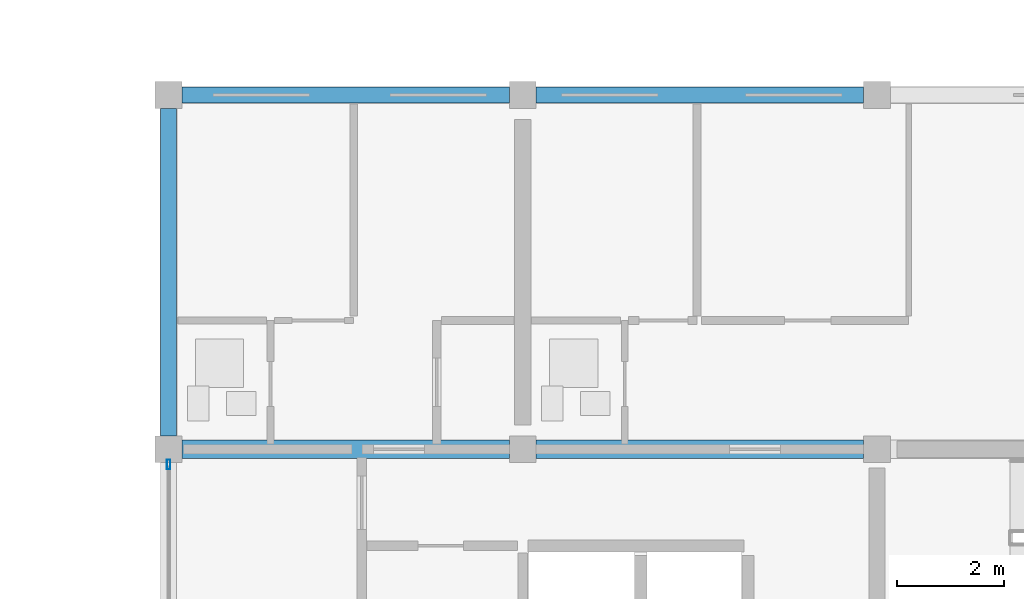
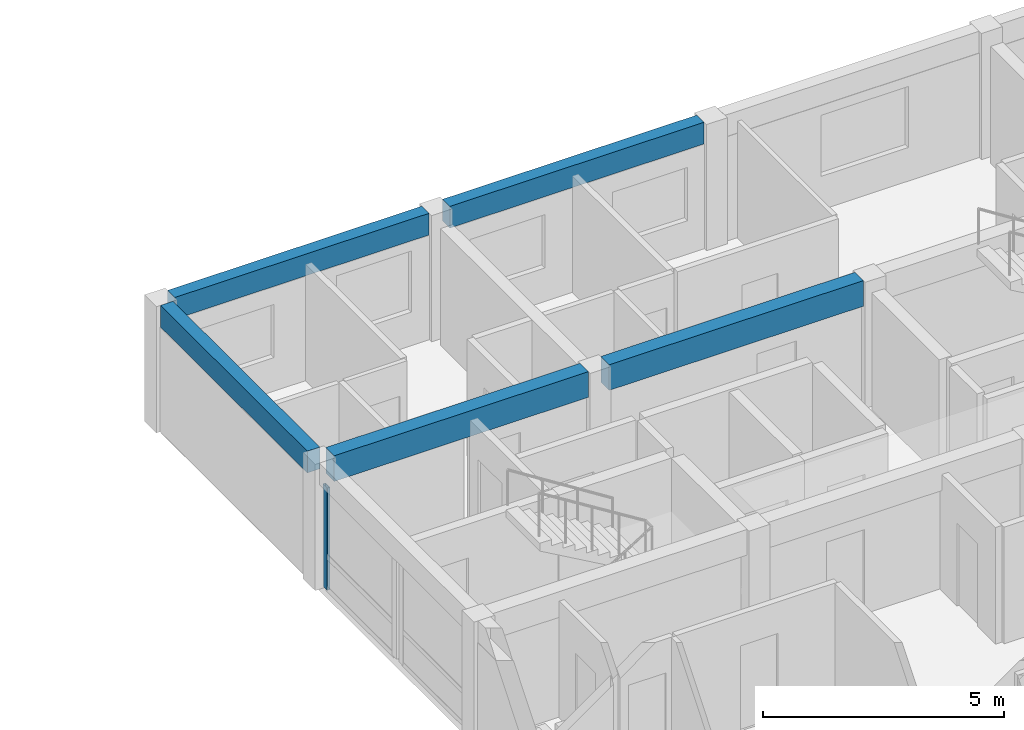
# One storey, part 21 of 53: 5 beams, 1 member, 1 element without a shape of its own.
"""IFC4 building model written with IfcOpenShell, lengths in metres."""

from ifc_helpers import new_model, si_unit, direction, frame, origin, origin_2d, place, context, subcontext, project, spatial, rectangle, hollow_rectangle, extrude, material, material_profile, profile_set, type_object, element, aggregate, save


model = new_model("IFC4")

# Units and contexts
model_context = context("Model", 3, precision=1e-05, world=origin(), true_north=direction((0.0, 1.0)))
body_context = subcontext(model_context, "Body", "Model", "MODEL_VIEW")
ifc_project = project(units=[si_unit("LENGTHUNIT", "METRE"), si_unit("AREAUNIT", "SQUARE_METRE"), si_unit("VOLUMEUNIT", "CUBIC_METRE"), si_unit("PLANEANGLEUNIT", "RADIAN"), si_unit("MASSUNIT", "GRAM", prefix="KILO")], contexts=[model_context])

# Site, building, storey
site_placement = place(None, origin())
site = spatial("IfcSite", under=ifc_project, at=site_placement, CompositionType="ELEMENT")
building_placement = place(site_placement, origin())
building = spatial("IfcBuilding", under=site, at=building_placement, Name="Kernevlak Ridge Housing Community", CompositionType="ELEMENT")
storey_placement = place(building_placement, frame((0.0, 0.0, 18.0)))
storey = spatial("IfcBuildingStorey", under=building, at=storey_placement, Name="L05", CompositionType="ELEMENT", Elevation=18.0)

# Beams
ifc_material_1 = material(Name="Concrete C35/45", Category="concrete")
ifc_material_profile_1 = material_profile(ifc_material_1, rectangle(XDim=0.35009765625, YDim=0.64990234375, at=origin_2d()), Name="RC 350x650")
ifc_profile_set_1 = profile_set([ifc_material_profile_1], Name="Concrete C35/45")
beam_type_1 = type_object("IfcBeamType", Name="B-02", PredefinedType="BEAM", material=ifc_profile_set_1)
for number, where, z_axis, x_axis, name in (
    (1, (119.64990234375, 95.800048828125, 2.875), (1.0, 0.0, 0.0), (0.0, 1.0, 0.0), "Beam B-02 L05 717"),
    (2, (126.25, 95.800048828125, 2.875), (1.0, 0.0, 0.0), (0.0, 1.0, 0.0), "Beam B-02 L05 718"),
):
    element("IfcBeam", number, at=place(storey_placement, frame(where, z_axis=z_axis, x_axis=x_axis)), inside=storey, type_object=beam_type_1, Name=name, PredefinedType="BEAM", context=body_context, shape_type="SweptSolid", body=[
        extrude(rectangle(XDim=0.35009765625, YDim=0.64990234375, at=origin_2d()), origin(), (0.0, 0.0, 1.0), 6.10009765625),
    ])

# Curtain wall, member
ifc_material_2 = material(Name="Aluminium EN AW-6060 anodised and laminated glass", Category="aluminium")
curtain_wall_type = type_object("IfcCurtainWallType", Name="CW-09", PredefinedType="NOTDEFINED", material=ifc_material_2)
curtain_wall_placement = place(storey_placement, origin())
curtain_wall = element("IfcCurtainWall", 3, at=curtain_wall_placement, inside=storey, type_object=curtain_wall_type, Name="Curtain wall CW-09 CW-L05-071", PredefinedType="NOTDEFINED")
ifc_material_3 = material(Name="Aluminium EN AW-6060 anodised", Category="aluminium")
ifc_material_profile_2 = material_profile(ifc_material_3, hollow_rectangle(XDim=0.06494140625, YDim=0.179931640625, WallThickness=0.00439453125, InnerFilletRadius=0.001953125, OuterFilletRadius=0.00439453125, at=origin_2d()), Name="ALU 65x180x4.5")
ifc_profile_set_2 = profile_set([ifc_material_profile_2], Name="Aluminium EN AW-6060 anodised")
member_type = type_object("IfcMemberType", Name="MU-03", PredefinedType="MULLION", material=ifc_profile_set_2)
member_placement = place(storey_placement, frame((119.39990234375, 95.517578125, 0.0), z_axis=(0.0, 0.0, 1.0), x_axis=(-1.0, 0.0, 0.0)))
member = element("IfcMember", 4, at=member_placement, type_object=member_type, Name="CW-09 mullion 2", PredefinedType="MULLION", context=body_context, shape_type="SweptSolid", body=[
    extrude(hollow_rectangle(XDim=0.06494140625, YDim=0.179931640625, WallThickness=0.00439453125, InnerFilletRadius=0.001953125, OuterFilletRadius=0.00439453125, at=origin_2d()), origin(), (0.0, 0.0, 1.0), 2.60009765625),
])
aggregate(curtain_wall, [member])

# Beams
ifc_material_profile_3 = material_profile(ifc_material_1, rectangle(XDim=0.300048828125, YDim=0.550048828125, at=origin_2d()), Name="RC 300x550")
ifc_profile_set_3 = profile_set([ifc_material_profile_3], Name="Concrete C35/45")
beam_type_2 = type_object("IfcBeamType", Name="SP-01", PredefinedType="SPANDREL", material=ifc_profile_set_3)
for number, where, z_axis, x_axis, name in (
    (5, (119.64990234375, 102.39990234375, 2.925048828125), (1.0, 0.0, 0.0), (0.0, 1.0, 0.0), "Beam SP-01 L05 722"),
    (6, (126.25, 102.39990234375, 2.925048828125), (1.0, 0.0, 0.0), (0.0, 1.0, 0.0), "Beam SP-01 L05 723"),
):
    element("IfcBeam", number, at=place(storey_placement, frame(where, z_axis=z_axis, x_axis=x_axis)), inside=storey, type_object=beam_type_2, Name=name, PredefinedType="SPANDREL", context=body_context, shape_type="SweptSolid", body=[
        extrude(rectangle(XDim=0.300048828125, YDim=0.550048828125, at=origin_2d()), origin(), (0.0, 0.0, 1.0), 6.10009765625),
    ])
beam_placement = place(storey_placement, frame((119.39990234375, 96.050048828125, 2.925048828125), z_axis=(0.0, 1.0, 0.0), x_axis=(-1.0, 0.0, 0.0)))
element("IfcBeam", 7, at=beam_placement, inside=storey, type_object=beam_type_2, Name="Beam SP-01 L05 729", PredefinedType="SPANDREL", context=body_context, shape_type="SweptSolid", body=[
    extrude(rectangle(XDim=0.300048828125, YDim=0.550048828125, at=origin_2d()), origin(), (0.0, 0.0, 1.0), 6.099853515625),
])

save(model, "model.ifc")
